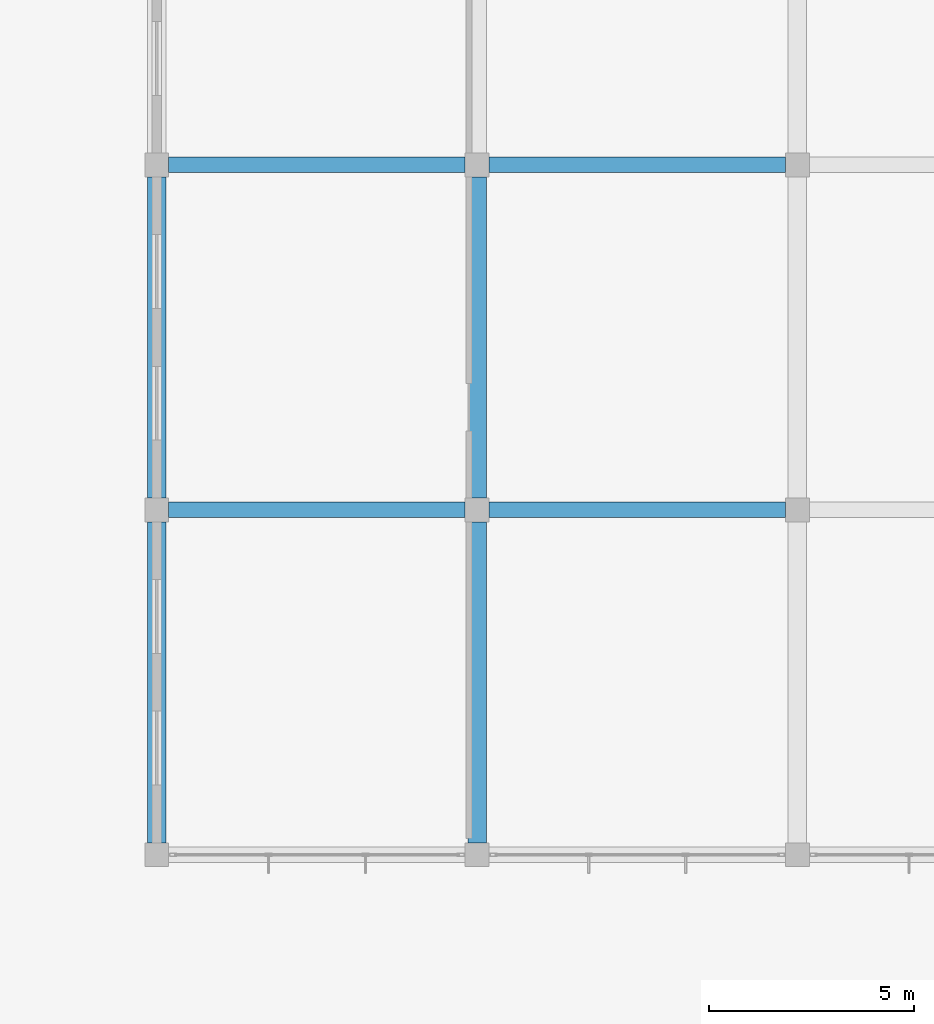
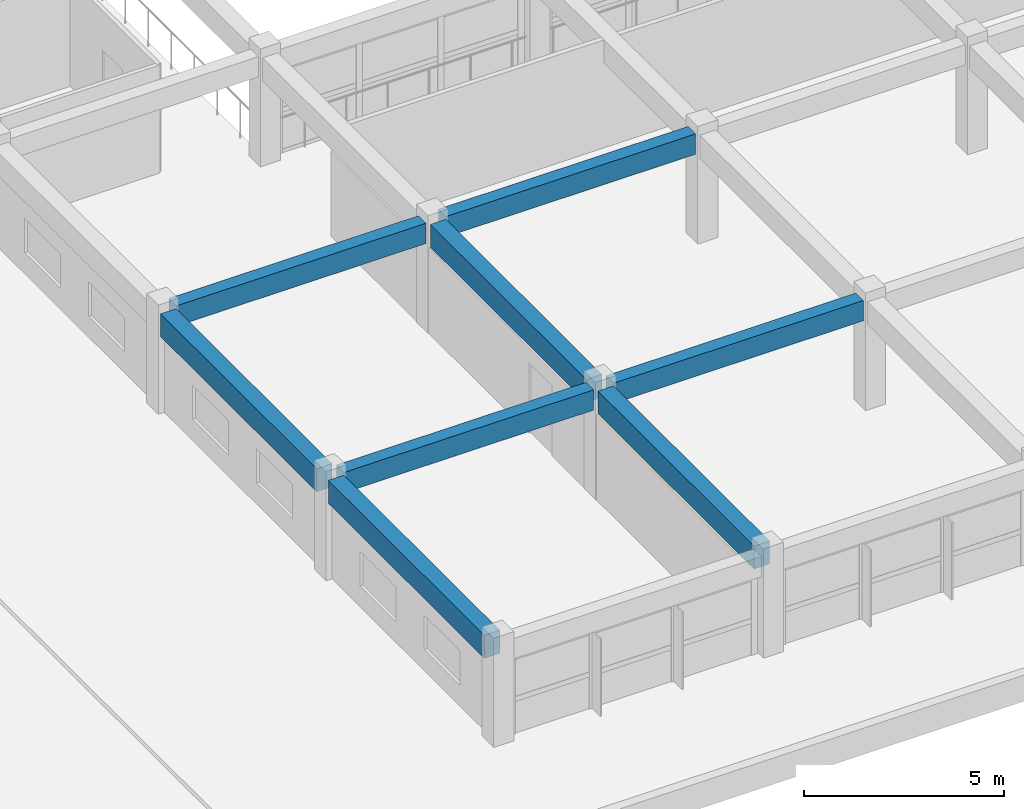
# One storey, part 51 of 101: 8 beams.
"""IFC4 building model written with IfcOpenShell, lengths in metres."""

from ifc_helpers import new_model, si_unit, direction, frame, origin, origin_2d, place, context, subcontext, project, spatial, rectangle, extrude, material, material_profile, profile_set, type_object, element, save


model = new_model("IFC4")

# Units and contexts
model_context = context("Model", 3, precision=1e-05, world=origin(), true_north=direction((0.0, 1.0)))
body_context = subcontext(model_context, "Body", "Model", "MODEL_VIEW")
ifc_project = project(units=[si_unit("LENGTHUNIT", "METRE"), si_unit("AREAUNIT", "SQUARE_METRE"), si_unit("VOLUMEUNIT", "CUBIC_METRE"), si_unit("PLANEANGLEUNIT", "RADIAN"), si_unit("MASSUNIT", "GRAM", prefix="KILO")], contexts=[model_context])

# Site, building, storey
site_placement = place(None, origin())
site = spatial("IfcSite", under=ifc_project, at=site_placement, CompositionType="ELEMENT")
building_placement = place(site_placement, origin())
building = spatial("IfcBuilding", under=site, at=building_placement, Name="Zizhar Promenade General Hospital", CompositionType="ELEMENT")
storey_placement = place(building_placement, frame((0.0, 0.0, 14.39990234375)))
storey = spatial("IfcBuildingStorey", under=building, at=storey_placement, Name="L03", CompositionType="ELEMENT", Elevation=14.39990234375)

# Beams
ifc_material_1 = material(Name="Concrete C35/45", Category="concrete")
ifc_material_profile_1 = material_profile(ifc_material_1, rectangle(XDim=0.3798828125, YDim=0.6201171875, at=origin_2d()))
ifc_profile_set_1 = profile_set([ifc_material_profile_1], Name="Concrete C35/45")
beam_type_1 = type_object("IfcBeamType", Name="BM-RC-380x620", PredefinedType="JOIST", material=ifc_profile_set_1)
for number, where, z_axis, x_axis, name in (
    (1, (140.68994140625, 50.39990234375, 3.0), (1.0, 0.0, 0.0), (0.0, 1.0, 0.0), "Grid Beam X L03 (18-6)"),
    (2, (140.68994140625, 58.800048828125, 3.0), (1.0, 0.0, 0.0), (0.0, 1.0, 0.0), "Grid Beam X L03 (18-7)"),
    (3, (148.489990234375, 50.39990234375, 3.0), (1.0, 0.0, 0.0), (0.0, 1.0, 0.0), "Grid Beam X L03 (19-6)"),
    (4, (148.489990234375, 58.800048828125, 3.0), (1.0, 0.0, 0.0), (0.0, 1.0, 0.0), "Grid Beam X L03 (19-7)"),
):
    element("IfcBeam", number, at=place(storey_placement, frame(where, z_axis=z_axis, x_axis=x_axis)), inside=storey, type_object=beam_type_1, Name=name, PredefinedType="JOIST", context=body_context, shape_type="SweptSolid", body=[
        extrude(rectangle(XDim=0.3798828125, YDim=0.6201171875, at=origin_2d()), origin(), (0.0, 0.0, 1.0), 7.219970703125),
    ])
ifc_material_2 = material(Name="Concrete C35/45", Category="concrete")
ifc_material_profile_2 = material_profile(ifc_material_2, rectangle(XDim=0.449951171875, YDim=0.699951171875, at=origin_2d()))
ifc_profile_set_2 = profile_set([ifc_material_profile_2], Name="Concrete C35/45")
beam_type_2 = type_object("IfcBeamType", Name="BM-RC-450x700", PredefinedType="BEAM", material=ifc_profile_set_2)
for number, where, z_axis, x_axis, name in (
    (5, (140.39990234375, 42.2900390625, 2.960205078125), (0.0, 1.0, 0.0), (-1.0, 0.0, 0.0), "Grid Beam Y L03 (18-5)"),
    (6, (140.39990234375, 50.68994140625, 2.960205078125), (0.0, 1.0, 0.0), (-1.0, 0.0, 0.0), "Grid Beam Y L03 (18-6)"),
    (7, (148.199951171875, 42.2900390625, 2.960205078125), (0.0, 1.0, 0.0), (-1.0, 0.0, 0.0), "Grid Beam Y L03 (19-5)"),
    (8, (148.199951171875, 50.68994140625, 2.960205078125), (0.0, 1.0, 0.0), (-1.0, 0.0, 0.0), "Grid Beam Y L03 (19-6)"),
):
    element("IfcBeam", number, at=place(storey_placement, frame(where, z_axis=z_axis, x_axis=x_axis)), inside=storey, type_object=beam_type_2, Name=name, PredefinedType="BEAM", context=body_context, shape_type="SweptSolid", body=[
        extrude(rectangle(XDim=0.449951171875, YDim=0.699951171875, at=origin_2d()), origin(), (0.0, 0.0, 1.0), 7.820068359375),
    ])

save(model, "model.ifc")
